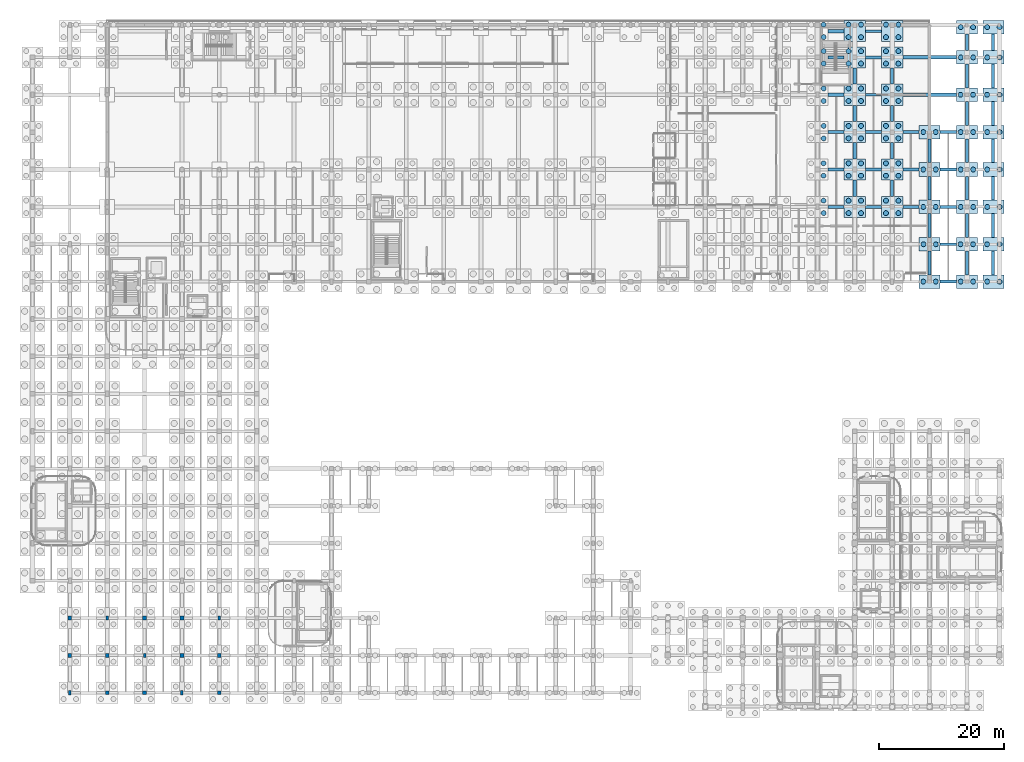
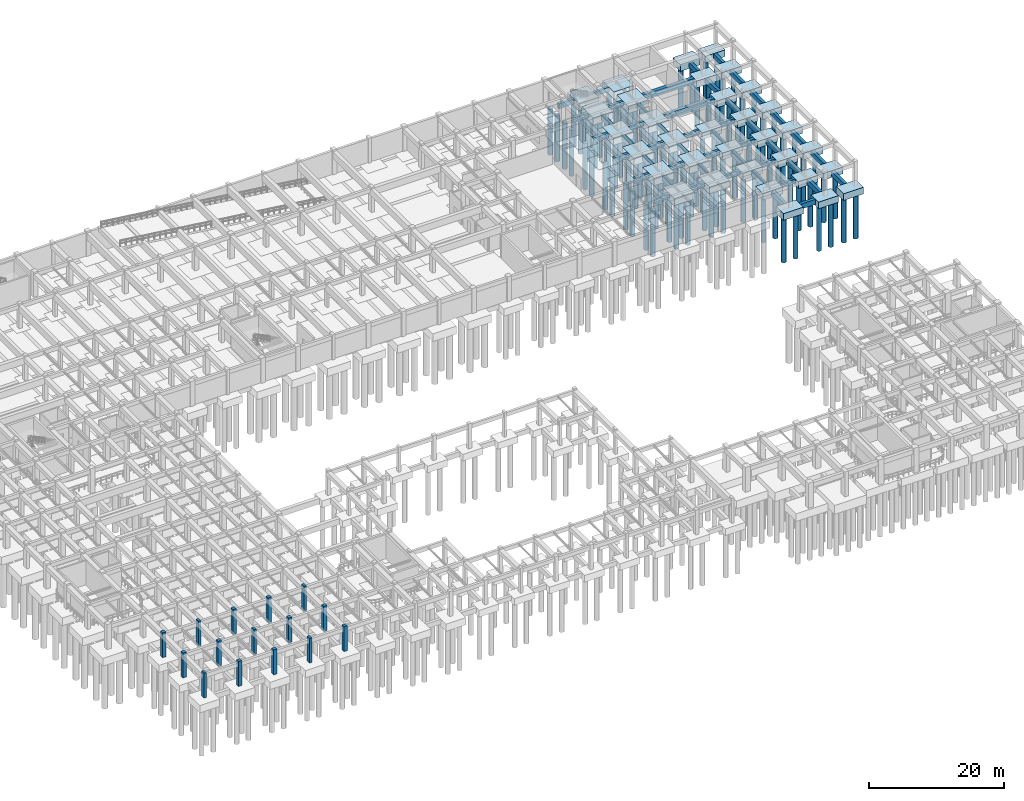
# One storey, part 10 of 32: 102 piles, 81 footings, 15 columns.
"""IFC4 building model written with IfcOpenShell, lengths in metres."""

from ifc_helpers import new_model, si_unit, direction, frame, origin, origin_2d, place, context, subcontext, project, spatial, rectangle, circle, extrude, material, material_profile, profile_set, type_object, element, save


model = new_model("IFC4")

# Units and contexts
model_context = context("Model", 3, precision=1e-05, world=origin(), true_north=direction((0.0, 1.0)))
body_context = subcontext(model_context, "Body", "Model", "MODEL_VIEW")
ifc_project = project(units=[si_unit("LENGTHUNIT", "METRE"), si_unit("AREAUNIT", "SQUARE_METRE"), si_unit("VOLUMEUNIT", "CUBIC_METRE"), si_unit("PLANEANGLEUNIT", "RADIAN"), si_unit("MASSUNIT", "GRAM", prefix="KILO")], contexts=[model_context])

# Site, building, storey
site_placement = place(None, origin())
site = spatial("IfcSite", under=ifc_project, at=site_placement, CompositionType="ELEMENT")
building_placement = place(site_placement, origin())
building = spatial("IfcBuilding", under=site, at=building_placement, Name="Varnakota Square Police Headquarters", CompositionType="ELEMENT")
storey_placement = place(building_placement, frame((0.0, 0.0, -4.5)))
storey = spatial("IfcBuildingStorey", under=building, at=storey_placement, Name="B1", CompositionType="ELEMENT", Elevation=-4.5)

# Footings
ifc_material = material(Name="Concrete M40", Category="concrete")
ifc_material_profile_1 = material_profile(ifc_material, rectangle(XDim=0.5, YDim=0.89990234375, at=origin_2d()), Name="GB 500x900")
ifc_profile_set_1 = profile_set([ifc_material_profile_1], Name="Concrete M40")
footing_type_1 = type_object("IfcFootingType", Name="FT-GB1", PredefinedType="FOOTING_BEAM", material=ifc_profile_set_1)
for number, where, z_axis, x_axis, name in (
    (1, (151.699951171875, 69.0, -0.449951171875), (1.0, 0.0, 0.0), (0.0, 1.0, 0.0), "Ground tie beam GB-0076"),
    (2, (133.699951171875, 81.0, -0.449951171875), (1.0, 0.0, 0.0), (0.0, 1.0, 0.0), "Ground tie beam GB-0109"),
    (3, (139.699951171875, 81.0, -0.449951171875), (1.0, 0.0, 0.0), (0.0, 1.0, 0.0), "Ground tie beam GB-0110"),
    (4, (151.699951171875, 81.0, -0.449951171875), (1.0, 0.0, 0.0), (0.0, 1.0, 0.0), "Ground tie beam GB-0112"),
    (5, (133.699951171875, 87.0, -0.449951171875), (1.0, 0.0, 0.0), (0.0, 1.0, 0.0), "Ground tie beam GB-0128"),
    (6, (145.699951171875, 87.0, -0.449951171875), (1.0, 0.0, 0.0), (0.0, 1.0, 0.0), "Ground tie beam GB-0130"),
    (7, (151.699951171875, 87.0, -0.449951171875), (1.0, 0.0, 0.0), (0.0, 1.0, 0.0), "Ground tie beam GB-0131"),
    (8, (133.699951171875, 93.0, -0.449951171875), (1.0, 0.0, 0.0), (0.0, 1.0, 0.0), "Ground tie beam GB-0133"),
    (9, (139.699951171875, 93.0, -0.449951171875), (1.0, 0.0, 0.0), (0.0, 1.0, 0.0), "Ground tie beam GB-0134"),
    (10, (151.699951171875, 93.0, -0.449951171875), (1.0, 0.0, 0.0), (0.0, 1.0, 0.0), "Ground tie beam GB-0136"),
    (11, (133.699951171875, 99.0, -0.449951171875), (1.0, 0.0, 0.0), (0.0, 1.0, 0.0), "Ground tie beam GB-0149"),
    (12, (133.699951171875, 105.0, -0.449951171875), (1.0, 0.0, 0.0), (0.0, 1.0, 0.0), "Ground tie beam GB-0161"),
    (13, (133.699951171875, 109.199951171875, -0.449951171875), (1.0, 0.0, 0.0), (0.0, 1.0, 0.0), "Ground tie beam GB-0176"),
    (14, (138.0, 82.699951171875, -0.449951171875), (0.0, 1.0, 0.0), (-1.0, 0.0, 0.0), "Ground tie beam GB-0338"),
    (15, (138.0, 88.699951171875, -0.449951171875), (0.0, 1.0, 0.0), (-1.0, 0.0, 0.0), "Ground tie beam GB-0339"),
    (16, (138.0, 94.699951171875, -0.449951171875), (0.0, 1.0, 0.0), (-1.0, 0.0, 0.0), "Ground tie beam GB-0340"),
    (17, (138.0, 100.699951171875, -0.449951171875), (0.0, 1.0, 0.0), (-1.0, 0.0, 0.0), "Ground tie beam GB-0341"),
    (18, (144.0, 82.699951171875, -0.449951171875), (0.0, 1.0, 0.0), (-1.0, 0.0, 0.0), "Ground tie beam GB-0351"),
    (19, (144.0, 88.699951171875, -0.449951171875), (0.0, 1.0, 0.0), (-1.0, 0.0, 0.0), "Ground tie beam GB-0352"),
    (20, (144.0, 94.699951171875, -0.449951171875), (0.0, 1.0, 0.0), (-1.0, 0.0, 0.0), "Ground tie beam GB-0353"),
    (21, (144.0, 100.699951171875, -0.449951171875), (0.0, 1.0, 0.0), (-1.0, 0.0, 0.0), "Ground tie beam GB-0354"),
):
    element("IfcFooting", number, at=place(storey_placement, frame(where, z_axis=z_axis, x_axis=x_axis)), inside=storey, type_object=footing_type_1, Name=name, PredefinedType="FOOTING_BEAM", context=body_context, shape_type="SweptSolid", body=[
        extrude(rectangle(XDim=0.5, YDim=0.89990234375, at=origin_2d()), origin(), (0.0, 0.0, 1.0), 2.60009765625),
    ])
for number, where, z_axis, x_axis, name in (
    (22, (150.0, 70.10009765625, -0.449951171875), (0.0, 1.0, 0.0), (-1.0, 0.0, 0.0), "Ground tie beam GB-0362"),
    (23, (150.0, 76.10009765625, -0.449951171875), (0.0, 1.0, 0.0), (-1.0, 0.0, 0.0), "Ground tie beam GB-0363"),
    (24, (150.0, 82.10009765625, -0.449951171875), (0.0, 1.0, 0.0), (-1.0, 0.0, 0.0), "Ground tie beam GB-0364"),
    (25, (150.0, 88.10009765625, -0.449951171875), (0.0, 1.0, 0.0), (-1.0, 0.0, 0.0), "Ground tie beam GB-0365"),
    (26, (156.0, 70.10009765625, -0.449951171875), (0.0, 1.0, 0.0), (-1.0, 0.0, 0.0), "Ground tie beam GB-0366"),
    (27, (156.0, 76.10009765625, -0.449951171875), (0.0, 1.0, 0.0), (-1.0, 0.0, 0.0), "Ground tie beam GB-0367"),
    (28, (156.0, 82.10009765625, -0.449951171875), (0.0, 1.0, 0.0), (-1.0, 0.0, 0.0), "Ground tie beam GB-0368"),
    (29, (156.0, 88.10009765625, -0.449951171875), (0.0, 1.0, 0.0), (-1.0, 0.0, 0.0), "Ground tie beam GB-0369"),
    (30, (156.0, 94.10009765625, -0.449951171875), (0.0, 1.0, 0.0), (-1.0, 0.0, 0.0), "Ground tie beam GB-0370"),
    (31, (156.0, 100.10009765625, -0.449951171875), (0.0, 1.0, 0.0), (-1.0, 0.0, 0.0), "Ground tie beam GB-0371"),
):
    element("IfcFooting", number, at=place(storey_placement, frame(where, z_axis=z_axis, x_axis=x_axis)), inside=storey, type_object=footing_type_1, Name=name, PredefinedType="FOOTING_BEAM", context=body_context, shape_type="SweptSolid", body=[
        extrude(rectangle(XDim=0.5, YDim=0.89990234375, at=origin_2d()), origin(), (0.0, 0.0, 1.0), 3.7998046875),
    ])
footing_1_placement = place(storey_placement, frame((156.0, 106.10009765625, -0.449951171875), z_axis=(0.0, 1.0, 0.0), x_axis=(-1.0, 0.0, 0.0)))
element("IfcFooting", 32, at=footing_1_placement, inside=storey, type_object=footing_type_1, Name="Ground tie beam GB-0372", PredefinedType="FOOTING_BEAM", context=body_context, shape_type="SweptSolid", body=[
    extrude(rectangle(XDim=0.5, YDim=0.89990234375, at=origin_2d()), origin(), (0.0, 0.0, 1.0), 2.64990234375),
])
for number, where, z_axis, x_axis, name in (
    (33, (160.199951171875, 70.10009765625, -0.449951171875), (0.0, 1.0, 0.0), (-1.0, 0.0, 0.0), "Ground tie beam GB-0378"),
    (34, (160.199951171875, 76.10009765625, -0.449951171875), (0.0, 1.0, 0.0), (-1.0, 0.0, 0.0), "Ground tie beam GB-0379"),
    (35, (160.199951171875, 82.10009765625, -0.449951171875), (0.0, 1.0, 0.0), (-1.0, 0.0, 0.0), "Ground tie beam GB-0380"),
    (36, (160.199951171875, 88.10009765625, -0.449951171875), (0.0, 1.0, 0.0), (-1.0, 0.0, 0.0), "Ground tie beam GB-0381"),
    (37, (160.199951171875, 94.10009765625, -0.449951171875), (0.0, 1.0, 0.0), (-1.0, 0.0, 0.0), "Ground tie beam GB-0382"),
    (38, (160.199951171875, 100.10009765625, -0.449951171875), (0.0, 1.0, 0.0), (-1.0, 0.0, 0.0), "Ground tie beam GB-0383"),
):
    element("IfcFooting", number, at=place(storey_placement, frame(where, z_axis=z_axis, x_axis=x_axis)), inside=storey, type_object=footing_type_1, Name=name, PredefinedType="FOOTING_BEAM", context=body_context, shape_type="SweptSolid", body=[
        extrude(rectangle(XDim=0.5, YDim=0.89990234375, at=origin_2d()), origin(), (0.0, 0.0, 1.0), 3.7998046875),
    ])
footing_2_placement = place(storey_placement, frame((160.199951171875, 106.10009765625, -0.449951171875), z_axis=(0.0, 1.0, 0.0), x_axis=(-1.0, 0.0, 0.0)))
element("IfcFooting", 39, at=footing_2_placement, inside=storey, type_object=footing_type_1, Name="Ground tie beam GB-0384", PredefinedType="FOOTING_BEAM", context=body_context, shape_type="SweptSolid", body=[
    extrude(rectangle(XDim=0.5, YDim=0.89990234375, at=origin_2d()), origin(), (0.0, 0.0, 1.0), 2.64990234375),
])
ifc_material_profile_2 = material_profile(ifc_material, rectangle(XDim=0.60009765625, YDim=1.0, at=origin_2d()), Name="GB 600x1000")
ifc_profile_set_2 = profile_set([ifc_material_profile_2], Name="Concrete M40")
footing_type_2 = type_object("IfcFootingType", Name="FT-GB2", PredefinedType="FOOTING_BEAM", material=ifc_profile_set_2)
for number, where, z_axis, x_axis, name in (
    (40, (145.699951171875, 99.0, -0.5), (1.0, 0.0, 0.0), (0.0, 1.0, 0.0), "Ground tie beam GB-0151"),
    (41, (145.699951171875, 105.0, -0.5), (1.0, 0.0, 0.0), (0.0, 1.0, 0.0), "Ground tie beam GB-0163"),
):
    element("IfcFooting", number, at=place(storey_placement, frame(where, z_axis=z_axis, x_axis=x_axis)), inside=storey, type_object=footing_type_2, Name=name, PredefinedType="FOOTING_BEAM", context=body_context, shape_type="SweptSolid", body=[
        extrude(rectangle(XDim=0.60009765625, YDim=1.0, at=origin_2d()), origin(), (0.0, 0.0, 1.0), 8.60009765625),
    ])
ifc_material_profile_3 = material_profile(ifc_material, rectangle(XDim=0.449951171875, YDim=0.800048828125, at=origin_2d()), Name="GB 450x800")
ifc_profile_set_3 = profile_set([ifc_material_profile_3], Name="Concrete M40")
footing_type_3 = type_object("IfcFootingType", Name="FT-GB3", PredefinedType="FOOTING_BEAM", material=ifc_profile_set_3)
for number, where, z_axis, x_axis, name in (
    (42, (151.699951171875, 75.0, -0.39990234375), (1.0, 0.0, 0.0), (0.0, 1.0, 0.0), "Ground tie beam GB-0090"),
    (43, (145.699951171875, 81.0, -0.39990234375), (1.0, 0.0, 0.0), (0.0, 1.0, 0.0), "Ground tie beam GB-0111"),
    (44, (139.699951171875, 87.0, -0.39990234375), (1.0, 0.0, 0.0), (0.0, 1.0, 0.0), "Ground tie beam GB-0129"),
    (45, (145.699951171875, 93.0, -0.39990234375), (1.0, 0.0, 0.0), (0.0, 1.0, 0.0), "Ground tie beam GB-0135"),
    (46, (139.699951171875, 99.0, -0.39990234375), (1.0, 0.0, 0.0), (0.0, 1.0, 0.0), "Ground tie beam GB-0150"),
    (47, (139.699951171875, 105.0, -0.39990234375), (1.0, 0.0, 0.0), (0.0, 1.0, 0.0), "Ground tie beam GB-0162"),
    (48, (139.699951171875, 109.199951171875, -0.39990234375), (1.0, 0.0, 0.0), (0.0, 1.0, 0.0), "Ground tie beam GB-0177"),
):
    element("IfcFooting", number, at=place(storey_placement, frame(where, z_axis=z_axis, x_axis=x_axis)), inside=storey, type_object=footing_type_3, Name=name, PredefinedType="FOOTING_BEAM", context=body_context, shape_type="SweptSolid", body=[
        extrude(rectangle(XDim=0.449951171875, YDim=0.800048828125, at=origin_2d()), origin(), (0.0, 0.0, 1.0), 2.60009765625),
    ])
footing_type_4 = type_object("IfcFootingType", Name="FT-PC2", PredefinedType="PILE_CAP", material=ifc_material)
for number, where, z_axis, x_axis, name in (
    (49, (150.0, 69.0, -1.2001953125), (0.0, 0.0, 1.0), (1.0, 0.0, 0.0), "Pile cap CAP-X1500-Y0690"),
    (50, (150.0, 75.0, -1.2001953125), (0.0, 0.0, 1.0), (1.0, 0.0, 0.0), "Pile cap CAP-X1500-Y0750"),
    (51, (150.0, 81.0, -1.2001953125), (0.0, 0.0, 1.0), (1.0, 0.0, 0.0), "Pile cap CAP-X1500-Y0810"),
    (52, (150.0, 87.0, -1.2001953125), (0.0, 0.0, 1.0), (1.0, 0.0, 0.0), "Pile cap CAP-X1500-Y0870"),
    (53, (150.0, 93.0, -1.2001953125), (0.0, 0.0, 1.0), (1.0, 0.0, 0.0), "Pile cap CAP-X1500-Y0930"),
    (54, (156.0, 69.0, -1.2001953125), (0.0, 0.0, 1.0), (1.0, 0.0, 0.0), "Pile cap CAP-X1560-Y0690"),
    (55, (156.0, 75.0, -1.2001953125), (0.0, 0.0, 1.0), (1.0, 0.0, 0.0), "Pile cap CAP-X1560-Y0750"),
    (56, (156.0, 81.0, -1.2001953125), (0.0, 0.0, 1.0), (1.0, 0.0, 0.0), "Pile cap CAP-X1560-Y0810"),
    (57, (156.0, 87.0, -1.2001953125), (0.0, 0.0, 1.0), (1.0, 0.0, 0.0), "Pile cap CAP-X1560-Y0870"),
    (58, (156.0, 93.0, -1.2001953125), (0.0, 0.0, 1.0), (1.0, 0.0, 0.0), "Pile cap CAP-X1560-Y0930"),
    (59, (156.0, 99.0, -1.2001953125), (0.0, 0.0, 1.0), (1.0, 0.0, 0.0), "Pile cap CAP-X1560-Y0990"),
    (60, (156.0, 105.0, -1.2001953125), (0.0, 0.0, 1.0), (1.0, 0.0, 0.0), "Pile cap CAP-X1560-Y1050"),
    (61, (156.0, 109.85009765625, -1.2001953125), (0.0, 0.0, 1.0), (1.0, 0.0, 0.0), "Pile cap CAP-X1560-Y1102"),
    (62, (160.25, 69.0, -1.2001953125), (0.0, 0.0, 1.0), (1.0, 0.0, 0.0), "Pile cap CAP-X1612-Y0690"),
    (63, (160.25, 75.0, -1.2001953125), (0.0, 0.0, 1.0), (1.0, 0.0, 0.0), "Pile cap CAP-X1612-Y0750"),
    (64, (160.25, 81.0, -1.2001953125), (0.0, 0.0, 1.0), (1.0, 0.0, 0.0), "Pile cap CAP-X1612-Y0810"),
    (65, (160.25, 87.0, -1.2001953125), (0.0, 0.0, 1.0), (1.0, 0.0, 0.0), "Pile cap CAP-X1612-Y0870"),
    (66, (160.25, 93.0, -1.2001953125), (0.0, 0.0, 1.0), (1.0, 0.0, 0.0), "Pile cap CAP-X1612-Y0930"),
    (67, (160.25, 99.0, -1.2001953125), (0.0, 0.0, 1.0), (1.0, 0.0, 0.0), "Pile cap CAP-X1612-Y0990"),
    (68, (160.25, 105.0, -1.2001953125), (0.0, 0.0, 1.0), (1.0, 0.0, 0.0), "Pile cap CAP-X1612-Y1050"),
    (69, (160.25, 109.85009765625, -1.2001953125), (0.0, 0.0, 1.0), (1.0, 0.0, 0.0), "Pile cap CAP-X1612-Y1102"),
):
    element("IfcFooting", number, at=place(storey_placement, frame(where, z_axis=z_axis, x_axis=x_axis)), inside=storey, type_object=footing_type_4, Name=name, PredefinedType="PILE_CAP", context=body_context, shape_type="SweptSolid", body=[
        extrude(rectangle(XDim=3.39990234375, YDim=2.199951171875, at=origin_2d()), origin(), (0.0, 0.0, 1.0), 1.199951171875),
    ])
footing_type_5 = type_object("IfcFootingType", Name="FT-PC4", PredefinedType="PILE_CAP", material=ifc_material)
for number, where, z_axis, x_axis, name in (
    (70, (138.0, 81.0, -1.2998046875), (0.0, 0.0, 1.0), (1.0, 0.0, 0.0), "Pile cap CAP-X1380-Y0810"),
    (71, (138.0, 87.0, -1.2998046875), (0.0, 0.0, 1.0), (1.0, 0.0, 0.0), "Pile cap CAP-X1380-Y0870"),
    (72, (138.0, 93.0, -1.2998046875), (0.0, 0.0, 1.0), (1.0, 0.0, 0.0), "Pile cap CAP-X1380-Y0930"),
    (73, (138.0, 99.0, -1.2998046875), (0.0, 0.0, 1.0), (1.0, 0.0, 0.0), "Pile cap CAP-X1380-Y0990"),
    (74, (138.0, 105.0, -1.2998046875), (0.0, 0.0, 1.0), (1.0, 0.0, 0.0), "Pile cap CAP-X1380-Y1050"),
    (75, (138.0, 109.25, -1.2998046875), (0.0, 0.0, 1.0), (1.0, 0.0, 0.0), "Pile cap CAP-X1380-Y1102"),
    (76, (144.0, 81.0, -1.2998046875), (0.0, 0.0, 1.0), (1.0, 0.0, 0.0), "Pile cap CAP-X1440-Y0810"),
    (77, (144.0, 87.0, -1.2998046875), (0.0, 0.0, 1.0), (1.0, 0.0, 0.0), "Pile cap CAP-X1440-Y0870"),
    (78, (144.0, 93.0, -1.2998046875), (0.0, 0.0, 1.0), (1.0, 0.0, 0.0), "Pile cap CAP-X1440-Y0930"),
    (79, (144.0, 99.0, -1.2998046875), (0.0, 0.0, 1.0), (1.0, 0.0, 0.0), "Pile cap CAP-X1440-Y0990"),
    (80, (144.0, 105.0, -1.2998046875), (0.0, 0.0, 1.0), (1.0, 0.0, 0.0), "Pile cap CAP-X1440-Y1050"),
    (81, (144.0, 109.25, -1.2998046875), (0.0, 0.0, 1.0), (1.0, 0.0, 0.0), "Pile cap CAP-X1440-Y1102"),
):
    element("IfcFooting", number, at=place(storey_placement, frame(where, z_axis=z_axis, x_axis=x_axis)), inside=storey, type_object=footing_type_5, Name=name, PredefinedType="PILE_CAP", context=body_context, shape_type="SweptSolid", body=[
        extrude(rectangle(XDim=3.39990234375, YDim=3.39990234375, at=origin_2d()), origin(), (0.0, 0.0, 1.0), 1.300048828125),
    ])

# Piles
ifc_material_profile_4 = material_profile(ifc_material, circle(Radius=0.39990234375, at=origin_2d()), Name="BORED PILE 800")
ifc_profile_set_4 = profile_set([ifc_material_profile_4], Name="Concrete M40")
pile_type = type_object("IfcPileType", Name="PILE-D800", PredefinedType="BORED", material=ifc_profile_set_4)
for number, where, z_axis, x_axis, name in (
    (82, (133.0, 80.0, -1.199951171875), (0.0, 0.0, -1.0), (1.0, 0.0, 0.0), "Bored pile PLG-0899"),
    (83, (133.0, 82.0, -1.199951171875), (0.0, 0.0, -1.0), (1.0, 0.0, 0.0), "Bored pile PLG-0900"),
    (84, (133.0, 86.0, -1.199951171875), (0.0, 0.0, -1.0), (1.0, 0.0, 0.0), "Bored pile PLG-0903"),
    (85, (133.0, 88.0, -1.199951171875), (0.0, 0.0, -1.0), (1.0, 0.0, 0.0), "Bored pile PLG-0904"),
    (86, (133.0, 92.0, -1.199951171875), (0.0, 0.0, -1.0), (1.0, 0.0, 0.0), "Bored pile PLG-0907"),
    (87, (133.0, 94.0, -1.199951171875), (0.0, 0.0, -1.0), (1.0, 0.0, 0.0), "Bored pile PLG-0908"),
    (88, (133.0, 98.0, -1.199951171875), (0.0, 0.0, -1.0), (1.0, 0.0, 0.0), "Bored pile PLG-0911"),
    (89, (133.0, 100.0, -1.199951171875), (0.0, 0.0, -1.0), (1.0, 0.0, 0.0), "Bored pile PLG-0912"),
    (90, (133.0, 104.0, -1.199951171875), (0.0, 0.0, -1.0), (1.0, 0.0, 0.0), "Bored pile PLG-0915"),
    (91, (133.0, 106.0, -1.199951171875), (0.0, 0.0, -1.0), (1.0, 0.0, 0.0), "Bored pile PLG-0916"),
    (92, (133.0, 108.25, -1.199951171875), (0.0, 0.0, -1.0), (1.0, 0.0, 0.0), "Bored pile PLG-0919"),
    (93, (133.0, 110.25, -1.199951171875), (0.0, 0.0, -1.0), (1.0, 0.0, 0.0), "Bored pile PLG-0920"),
    (94, (137.0, 80.0, -1.199951171875), (0.0, 0.0, -1.0), (1.0, 0.0, 0.0), "Bored pile PLG-0975"),
    (95, (137.0, 82.0, -1.199951171875), (0.0, 0.0, -1.0), (1.0, 0.0, 0.0), "Bored pile PLG-0976"),
    (96, (139.0, 80.0, -1.199951171875), (0.0, 0.0, -1.0), (1.0, 0.0, 0.0), "Bored pile PLG-0977"),
    (97, (139.0, 82.0, -1.199951171875), (0.0, 0.0, -1.0), (1.0, 0.0, 0.0), "Bored pile PLG-0978"),
    (98, (137.0, 86.0, -1.199951171875), (0.0, 0.0, -1.0), (1.0, 0.0, 0.0), "Bored pile PLG-0979"),
    (99, (137.0, 88.0, -1.199951171875), (0.0, 0.0, -1.0), (1.0, 0.0, 0.0), "Bored pile PLG-0980"),
    (100, (139.0, 86.0, -1.199951171875), (0.0, 0.0, -1.0), (1.0, 0.0, 0.0), "Bored pile PLG-0981"),
    (101, (139.0, 88.0, -1.199951171875), (0.0, 0.0, -1.0), (1.0, 0.0, 0.0), "Bored pile PLG-0982"),
    (102, (137.0, 92.0, -1.199951171875), (0.0, 0.0, -1.0), (1.0, 0.0, 0.0), "Bored pile PLG-0983"),
    (103, (137.0, 94.0, -1.199951171875), (0.0, 0.0, -1.0), (1.0, 0.0, 0.0), "Bored pile PLG-0984"),
    (104, (139.0, 92.0, -1.199951171875), (0.0, 0.0, -1.0), (1.0, 0.0, 0.0), "Bored pile PLG-0985"),
    (105, (139.0, 94.0, -1.199951171875), (0.0, 0.0, -1.0), (1.0, 0.0, 0.0), "Bored pile PLG-0986"),
    (106, (137.0, 98.0, -1.199951171875), (0.0, 0.0, -1.0), (1.0, 0.0, 0.0), "Bored pile PLG-0987"),
    (107, (137.0, 100.0, -1.199951171875), (0.0, 0.0, -1.0), (1.0, 0.0, 0.0), "Bored pile PLG-0988"),
    (108, (139.0, 98.0, -1.199951171875), (0.0, 0.0, -1.0), (1.0, 0.0, 0.0), "Bored pile PLG-0989"),
    (109, (139.0, 100.0, -1.199951171875), (0.0, 0.0, -1.0), (1.0, 0.0, 0.0), "Bored pile PLG-0990"),
    (110, (137.0, 104.0, -1.199951171875), (0.0, 0.0, -1.0), (1.0, 0.0, 0.0), "Bored pile PLG-0991"),
    (111, (137.0, 106.0, -1.199951171875), (0.0, 0.0, -1.0), (1.0, 0.0, 0.0), "Bored pile PLG-0992"),
    (112, (139.0, 104.0, -1.199951171875), (0.0, 0.0, -1.0), (1.0, 0.0, 0.0), "Bored pile PLG-0993"),
    (113, (139.0, 106.0, -1.199951171875), (0.0, 0.0, -1.0), (1.0, 0.0, 0.0), "Bored pile PLG-0994"),
    (114, (137.0, 108.25, -1.199951171875), (0.0, 0.0, -1.0), (1.0, 0.0, 0.0), "Bored pile PLG-0995"),
    (115, (137.0, 110.25, -1.199951171875), (0.0, 0.0, -1.0), (1.0, 0.0, 0.0), "Bored pile PLG-0996"),
    (116, (139.0, 108.25, -1.199951171875), (0.0, 0.0, -1.0), (1.0, 0.0, 0.0), "Bored pile PLG-0997"),
    (117, (139.0, 110.25, -1.199951171875), (0.0, 0.0, -1.0), (1.0, 0.0, 0.0), "Bored pile PLG-0998"),
    (118, (143.0, 80.0, -1.199951171875), (0.0, 0.0, -1.0), (1.0, 0.0, 0.0), "Bored pile PLG-1053"),
    (119, (143.0, 82.0, -1.199951171875), (0.0, 0.0, -1.0), (1.0, 0.0, 0.0), "Bored pile PLG-1054"),
    (120, (145.0, 80.0, -1.199951171875), (0.0, 0.0, -1.0), (1.0, 0.0, 0.0), "Bored pile PLG-1055"),
    (121, (145.0, 82.0, -1.199951171875), (0.0, 0.0, -1.0), (1.0, 0.0, 0.0), "Bored pile PLG-1056"),
    (122, (143.0, 86.0, -1.199951171875), (0.0, 0.0, -1.0), (1.0, 0.0, 0.0), "Bored pile PLG-1057"),
    (123, (143.0, 88.0, -1.199951171875), (0.0, 0.0, -1.0), (1.0, 0.0, 0.0), "Bored pile PLG-1058"),
    (124, (145.0, 86.0, -1.199951171875), (0.0, 0.0, -1.0), (1.0, 0.0, 0.0), "Bored pile PLG-1059"),
    (125, (145.0, 88.0, -1.199951171875), (0.0, 0.0, -1.0), (1.0, 0.0, 0.0), "Bored pile PLG-1060"),
    (126, (143.0, 92.0, -1.199951171875), (0.0, 0.0, -1.0), (1.0, 0.0, 0.0), "Bored pile PLG-1061"),
    (127, (143.0, 94.0, -1.199951171875), (0.0, 0.0, -1.0), (1.0, 0.0, 0.0), "Bored pile PLG-1062"),
    (128, (145.0, 92.0, -1.199951171875), (0.0, 0.0, -1.0), (1.0, 0.0, 0.0), "Bored pile PLG-1063"),
    (129, (145.0, 94.0, -1.199951171875), (0.0, 0.0, -1.0), (1.0, 0.0, 0.0), "Bored pile PLG-1064"),
    (130, (143.0, 98.0, -1.199951171875), (0.0, 0.0, -1.0), (1.0, 0.0, 0.0), "Bored pile PLG-1065"),
    (131, (143.0, 100.0, -1.199951171875), (0.0, 0.0, -1.0), (1.0, 0.0, 0.0), "Bored pile PLG-1066"),
    (132, (145.0, 98.0, -1.199951171875), (0.0, 0.0, -1.0), (1.0, 0.0, 0.0), "Bored pile PLG-1067"),
    (133, (145.0, 100.0, -1.199951171875), (0.0, 0.0, -1.0), (1.0, 0.0, 0.0), "Bored pile PLG-1068"),
    (134, (143.0, 104.0, -1.199951171875), (0.0, 0.0, -1.0), (1.0, 0.0, 0.0), "Bored pile PLG-1069"),
    (135, (143.0, 106.0, -1.199951171875), (0.0, 0.0, -1.0), (1.0, 0.0, 0.0), "Bored pile PLG-1070"),
    (136, (145.0, 104.0, -1.199951171875), (0.0, 0.0, -1.0), (1.0, 0.0, 0.0), "Bored pile PLG-1071"),
    (137, (145.0, 106.0, -1.199951171875), (0.0, 0.0, -1.0), (1.0, 0.0, 0.0), "Bored pile PLG-1072"),
    (138, (143.0, 108.25, -1.199951171875), (0.0, 0.0, -1.0), (1.0, 0.0, 0.0), "Bored pile PLG-1073"),
    (139, (143.0, 110.25, -1.199951171875), (0.0, 0.0, -1.0), (1.0, 0.0, 0.0), "Bored pile PLG-1074"),
    (140, (145.0, 108.25, -1.199951171875), (0.0, 0.0, -1.0), (1.0, 0.0, 0.0), "Bored pile PLG-1075"),
    (141, (145.0, 110.25, -1.199951171875), (0.0, 0.0, -1.0), (1.0, 0.0, 0.0), "Bored pile PLG-1076"),
):
    element("IfcPile", number, at=place(storey_placement, frame(where, z_axis=z_axis, x_axis=x_axis)), inside=storey, type_object=pile_type, Name=name, PredefinedType="BORED", context=body_context, shape_type="SweptSolid", body=[
        extrude(circle(Radius=0.39990234375, at=origin_2d()), origin(), (0.0, 0.0, 1.0), 8.300048828125),
    ])
for number, where, z_axis, x_axis, name in (
    (142, (149.0, 69.0, -1.10009765625), (0.0, 0.0, -1.0), (1.0, 0.0, 0.0), "Bored pile PLG-1123"),
    (143, (151.0, 69.0, -1.10009765625), (0.0, 0.0, -1.0), (1.0, 0.0, 0.0), "Bored pile PLG-1124"),
    (144, (149.0, 75.0, -1.10009765625), (0.0, 0.0, -1.0), (1.0, 0.0, 0.0), "Bored pile PLG-1125"),
    (145, (151.0, 75.0, -1.10009765625), (0.0, 0.0, -1.0), (1.0, 0.0, 0.0), "Bored pile PLG-1126"),
    (146, (149.0, 81.0, -1.10009765625), (0.0, 0.0, -1.0), (1.0, 0.0, 0.0), "Bored pile PLG-1127"),
    (147, (151.0, 81.0, -1.10009765625), (0.0, 0.0, -1.0), (1.0, 0.0, 0.0), "Bored pile PLG-1128"),
    (148, (149.0, 87.0, -1.10009765625), (0.0, 0.0, -1.0), (1.0, 0.0, 0.0), "Bored pile PLG-1129"),
    (149, (151.0, 87.0, -1.10009765625), (0.0, 0.0, -1.0), (1.0, 0.0, 0.0), "Bored pile PLG-1130"),
    (150, (149.0, 93.0, -1.10009765625), (0.0, 0.0, -1.0), (1.0, 0.0, 0.0), "Bored pile PLG-1131"),
    (151, (151.0, 93.0, -1.10009765625), (0.0, 0.0, -1.0), (1.0, 0.0, 0.0), "Bored pile PLG-1132"),
    (152, (155.0, 69.0, -1.10009765625), (0.0, 0.0, -1.0), (1.0, 0.0, 0.0), "Bored pile PLG-1191"),
    (153, (157.0, 69.0, -1.10009765625), (0.0, 0.0, -1.0), (1.0, 0.0, 0.0), "Bored pile PLG-1192"),
    (154, (155.0, 75.0, -1.10009765625), (0.0, 0.0, -1.0), (1.0, 0.0, 0.0), "Bored pile PLG-1193"),
    (155, (157.0, 75.0, -1.10009765625), (0.0, 0.0, -1.0), (1.0, 0.0, 0.0), "Bored pile PLG-1194"),
    (156, (155.0, 81.0, -1.10009765625), (0.0, 0.0, -1.0), (1.0, 0.0, 0.0), "Bored pile PLG-1195"),
    (157, (157.0, 81.0, -1.10009765625), (0.0, 0.0, -1.0), (1.0, 0.0, 0.0), "Bored pile PLG-1196"),
    (158, (155.0, 87.0, -1.10009765625), (0.0, 0.0, -1.0), (1.0, 0.0, 0.0), "Bored pile PLG-1197"),
    (159, (157.0, 87.0, -1.10009765625), (0.0, 0.0, -1.0), (1.0, 0.0, 0.0), "Bored pile PLG-1198"),
    (160, (155.0, 93.0, -1.10009765625), (0.0, 0.0, -1.0), (1.0, 0.0, 0.0), "Bored pile PLG-1199"),
    (161, (157.0, 93.0, -1.10009765625), (0.0, 0.0, -1.0), (1.0, 0.0, 0.0), "Bored pile PLG-1200"),
    (162, (155.0, 99.0, -1.10009765625), (0.0, 0.0, -1.0), (1.0, 0.0, 0.0), "Bored pile PLG-1201"),
    (163, (157.0, 99.0, -1.10009765625), (0.0, 0.0, -1.0), (1.0, 0.0, 0.0), "Bored pile PLG-1202"),
    (164, (155.0, 105.0, -1.10009765625), (0.0, 0.0, -1.0), (1.0, 0.0, 0.0), "Bored pile PLG-1203"),
    (165, (157.0, 105.0, -1.10009765625), (0.0, 0.0, -1.0), (1.0, 0.0, 0.0), "Bored pile PLG-1204"),
    (166, (155.0, 109.85009765625, -1.10009765625), (0.0, 0.0, -1.0), (1.0, 0.0, 0.0), "Bored pile PLG-1205"),
    (167, (157.0, 109.85009765625, -1.10009765625), (0.0, 0.0, -1.0), (1.0, 0.0, 0.0), "Bored pile PLG-1206"),
    (168, (159.25, 69.0, -1.10009765625), (0.0, 0.0, -1.0), (1.0, 0.0, 0.0), "Bored pile PLG-1207"),
    (169, (161.25, 69.0, -1.10009765625), (0.0, 0.0, -1.0), (1.0, 0.0, 0.0), "Bored pile PLG-1208"),
    (170, (159.25, 75.0, -1.10009765625), (0.0, 0.0, -1.0), (1.0, 0.0, 0.0), "Bored pile PLG-1209"),
    (171, (161.25, 75.0, -1.10009765625), (0.0, 0.0, -1.0), (1.0, 0.0, 0.0), "Bored pile PLG-1210"),
    (172, (159.25, 81.0, -1.10009765625), (0.0, 0.0, -1.0), (1.0, 0.0, 0.0), "Bored pile PLG-1211"),
    (173, (161.25, 81.0, -1.10009765625), (0.0, 0.0, -1.0), (1.0, 0.0, 0.0), "Bored pile PLG-1212"),
    (174, (159.25, 87.0, -1.10009765625), (0.0, 0.0, -1.0), (1.0, 0.0, 0.0), "Bored pile PLG-1213"),
    (175, (161.25, 87.0, -1.10009765625), (0.0, 0.0, -1.0), (1.0, 0.0, 0.0), "Bored pile PLG-1214"),
    (176, (159.25, 93.0, -1.10009765625), (0.0, 0.0, -1.0), (1.0, 0.0, 0.0), "Bored pile PLG-1215"),
    (177, (161.25, 93.0, -1.10009765625), (0.0, 0.0, -1.0), (1.0, 0.0, 0.0), "Bored pile PLG-1216"),
    (178, (159.25, 99.0, -1.10009765625), (0.0, 0.0, -1.0), (1.0, 0.0, 0.0), "Bored pile PLG-1217"),
    (179, (161.25, 99.0, -1.10009765625), (0.0, 0.0, -1.0), (1.0, 0.0, 0.0), "Bored pile PLG-1218"),
    (180, (159.25, 105.0, -1.10009765625), (0.0, 0.0, -1.0), (1.0, 0.0, 0.0), "Bored pile PLG-1219"),
    (181, (161.25, 105.0, -1.10009765625), (0.0, 0.0, -1.0), (1.0, 0.0, 0.0), "Bored pile PLG-1220"),
    (182, (159.25, 109.85009765625, -1.10009765625), (0.0, 0.0, -1.0), (1.0, 0.0, 0.0), "Bored pile PLG-1221"),
    (183, (161.25, 109.85009765625, -1.10009765625), (0.0, 0.0, -1.0), (1.0, 0.0, 0.0), "Bored pile PLG-1222"),
):
    element("IfcPile", number, at=place(storey_placement, frame(where, z_axis=z_axis, x_axis=x_axis)), inside=storey, type_object=pile_type, Name=name, PredefinedType="BORED", context=body_context, shape_type="SweptSolid", body=[
        extrude(circle(Radius=0.39990234375, at=origin_2d()), origin(), (0.0, 0.0, 1.0), 8.39990234375),
    ])

# Columns
ifc_material_profile_5 = material_profile(ifc_material, rectangle(XDim=0.39990234375, YDim=0.699951171875, at=origin_2d()), Name="RC 400x700")
ifc_profile_set_5 = profile_set([ifc_material_profile_5], Name="Concrete M40")
column_type_1 = type_object("IfcColumnType", Name="COL-RC400x700", PredefinedType="COLUMN", material=ifc_profile_set_5)
for number, where, z_axis, x_axis, name in (
    (184, (12.0, 3.0, 0.0), (0.0, 0.0, 1.0), (1.0, 0.0, 0.0), "Column X0120-Y0030 B1"),
    (185, (18.0, 15.0, 0.0), (0.0, 0.0, 1.0), (1.0, 0.0, 0.0), "Column X0180-Y0150 B1"),
    (186, (24.0, 9.0, 0.0), (0.0, 0.0, 1.0), (1.0, 0.0, 0.0), "Column X0240-Y0090 B1"),
    (187, (30.0, 3.0, 0.0), (0.0, 0.0, 1.0), (1.0, 0.0, 0.0), "Column X0300-Y0030 B1"),
    (188, (36.0, 15.0, 0.0), (0.0, 0.0, 1.0), (1.0, 0.0, 0.0), "Column X0360-Y0150 B1"),
):
    element("IfcColumn", number, at=place(storey_placement, frame(where, z_axis=z_axis, x_axis=x_axis)), inside=storey, type_object=column_type_1, Name=name, PredefinedType="COLUMN", context=body_context, shape_type="SweptSolid", body=[
        extrude(rectangle(XDim=0.39990234375, YDim=0.699951171875, at=origin_2d()), origin(), (0.0, 0.0, 1.0), 4.5),
    ])
ifc_material_profile_6 = material_profile(ifc_material, rectangle(XDim=0.60009765625, YDim=0.60009765625, at=origin_2d()), Name="RC 600x600")
ifc_profile_set_6 = profile_set([ifc_material_profile_6], Name="Concrete M40")
column_type_2 = type_object("IfcColumnType", Name="COL-RC600", PredefinedType="COLUMN", material=ifc_profile_set_6)
for number, where, z_axis, x_axis, name in (
    (189, (12.0, 9.0, 0.0), (0.0, 0.0, 1.0), (1.0, 0.0, 0.0), "Column X0120-Y0090 B1"),
    (190, (12.0, 15.0, 0.0), (0.0, 0.0, 1.0), (1.0, 0.0, 0.0), "Column X0120-Y0150 B1"),
    (191, (18.0, 3.0, 0.0), (0.0, 0.0, 1.0), (1.0, 0.0, 0.0), "Column X0180-Y0030 B1"),
    (192, (18.0, 9.0, 0.0), (0.0, 0.0, 1.0), (1.0, 0.0, 0.0), "Column X0180-Y0090 B1"),
    (193, (24.0, 3.0, 0.0), (0.0, 0.0, 1.0), (1.0, 0.0, 0.0), "Column X0240-Y0030 B1"),
    (194, (24.0, 15.0, 0.0), (0.0, 0.0, 1.0), (1.0, 0.0, 0.0), "Column X0240-Y0150 B1"),
    (195, (30.0, 9.0, 0.0), (0.0, 0.0, 1.0), (1.0, 0.0, 0.0), "Column X0300-Y0090 B1"),
    (196, (30.0, 15.0, 0.0), (0.0, 0.0, 1.0), (1.0, 0.0, 0.0), "Column X0300-Y0150 B1"),
    (197, (36.0, 3.0, 0.0), (0.0, 0.0, 1.0), (1.0, 0.0, 0.0), "Column X0360-Y0030 B1"),
    (198, (36.0, 9.0, 0.0), (0.0, 0.0, 1.0), (1.0, 0.0, 0.0), "Column X0360-Y0090 B1"),
):
    element("IfcColumn", number, at=place(storey_placement, frame(where, z_axis=z_axis, x_axis=x_axis)), inside=storey, type_object=column_type_2, Name=name, PredefinedType="COLUMN", context=body_context, shape_type="SweptSolid", body=[
        extrude(rectangle(XDim=0.60009765625, YDim=0.60009765625, at=origin_2d()), origin(), (0.0, 0.0, 1.0), 4.5),
    ])

save(model, "model.ifc")
